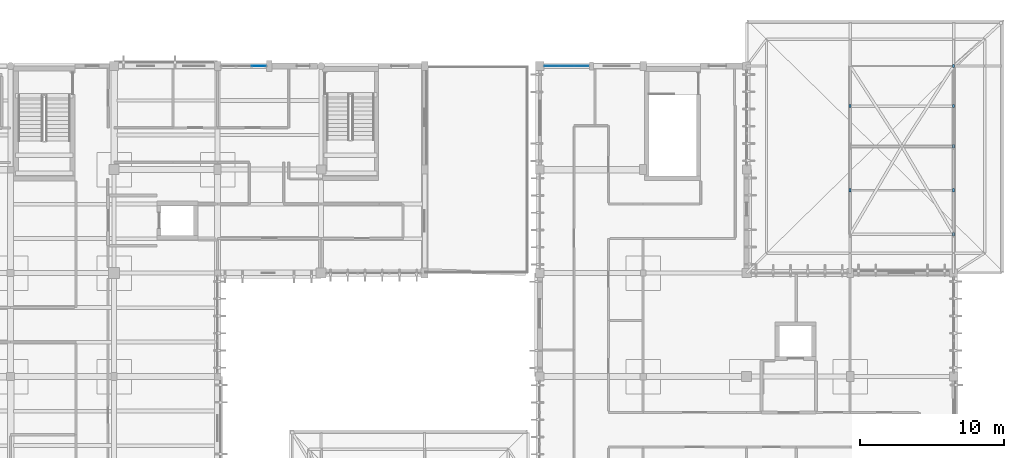
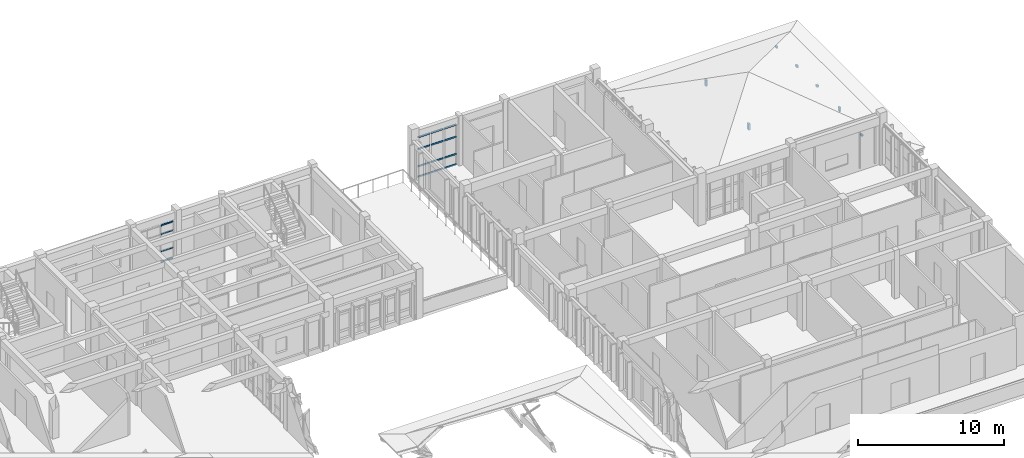
# One storey, part 22 of 51: 23 members, 2 elements without a shape of their own.
"""IFC4 building model written with IfcOpenShell, lengths in metres."""

from ifc_helpers import new_model, si_unit, direction, frame, origin, origin_2d, place, context, subcontext, project, spatial, rectangle, extrude, material, material_profile, profile_set, type_object, element, aggregate, save


model = new_model("IFC4")

# Units and contexts
model_context = context("Model", 3, precision=1e-05, world=origin(), true_north=direction((0.0, 1.0)))
body_context = subcontext(model_context, "Body", "Model", "MODEL_VIEW")
ifc_project = project(units=[si_unit("LENGTHUNIT", "METRE"), si_unit("AREAUNIT", "SQUARE_METRE"), si_unit("VOLUMEUNIT", "CUBIC_METRE"), si_unit("PLANEANGLEUNIT", "RADIAN"), si_unit("MASSUNIT", "GRAM", prefix="KILO")], contexts=[model_context])

# Site, building, storey
site_placement = place(None, origin())
site = spatial("IfcSite", under=ifc_project, at=site_placement, CompositionType="ELEMENT")
building_placement = place(site_placement, origin())
building = spatial("IfcBuilding", under=site, at=building_placement, Name="Steenspoor Specialist Clinic", CompositionType="ELEMENT")
storey_placement = place(building_placement, frame((0.0, 0.0, 17.39990234375)))
storey = spatial("IfcBuildingStorey", under=building, at=storey_placement, Name="L04", CompositionType="ELEMENT", Elevation=17.39990234375)

# Curtain wall, members
ifc_material_1 = material(Name="Thermally broken aluminium and low-emissivity glass", Category="aluminium")
curtain_wall_type_1 = type_object("IfcCurtainWallType", Name="CW-L00-240X415", PredefinedType="USERDEFINED", material=ifc_material_1)
curtain_wall_1_placement = place(storey_placement, origin())
curtain_wall_1 = element("IfcCurtainWall", 1, at=curtain_wall_1_placement, inside=storey, type_object=curtain_wall_type_1, Name="Unitised Curtain Wall CW-V4-L04-128", ObjectType="UNITISED GLAZING", PredefinedType="USERDEFINED")
ifc_material_2 = material(Name="Thermally broken aluminium 6063-T6", Category="aluminium")
ifc_material_profile_1 = material_profile(ifc_material_2, rectangle(XDim=0.06005859375, YDim=0.114990234375, at=origin_2d()), Name="CWT-60X115")
ifc_profile_set_1 = profile_set([ifc_material_profile_1], Name="Thermally broken aluminium 6063-T6")
member_type_1 = type_object("IfcMemberType", Name="CW-TRAN-60X115", PredefinedType="USERDEFINED", material=ifc_profile_set_1)
member_1_placement = place(storey_placement, frame((97.9833984375, 108.35009765625, 0.030029296875), z_axis=(1.0, 0.0, 0.0), x_axis=(0.0, 1.0, 0.0)))
member_1 = element("IfcMember", 2, at=member_1_placement, type_object=member_type_1, Name="CW-08 transom 3.1", ObjectType="TRANSOM", PredefinedType="USERDEFINED", context=body_context, shape_type="SweptSolid", body=[
    extrude(rectangle(XDim=0.06005859375, YDim=0.114990234375, at=origin_2d()), origin(), (0.0, 0.0, 1.0), 0.95654296875),
])
member_2_placement = place(storey_placement, frame((97.9833984375, 108.35009765625, 0.900146484375), z_axis=(1.0, 0.0, 0.0), x_axis=(0.0, 1.0, 0.0)))
member_2 = element("IfcMember", 3, at=member_2_placement, type_object=member_type_1, Name="CW-08 transom 3.2", ObjectType="TRANSOM", PredefinedType="USERDEFINED", context=body_context, shape_type="SweptSolid", body=[
    extrude(rectangle(XDim=0.06005859375, YDim=0.114990234375, at=origin_2d()), origin(), (0.0, 0.0, 1.0), 0.95654296875),
])
member_3_placement = place(storey_placement, frame((97.9833984375, 108.35009765625, 2.35009765625), z_axis=(1.0, 0.0, 0.0), x_axis=(0.0, 1.0, 0.0)))
member_3 = element("IfcMember", 4, at=member_3_placement, type_object=member_type_1, Name="CW-08 transom 3.3", ObjectType="TRANSOM", PredefinedType="USERDEFINED", context=body_context, shape_type="SweptSolid", body=[
    extrude(rectangle(XDim=0.06005859375, YDim=0.114990234375, at=origin_2d()), origin(), (0.0, 0.0, 1.0), 0.95654296875),
])
member_4_placement = place(storey_placement, frame((97.9833984375, 108.35009765625, 3.070068359375), z_axis=(1.0, 0.0, 0.0), x_axis=(0.0, 1.0, 0.0)))
member_4 = element("IfcMember", 5, at=member_4_placement, type_object=member_type_1, Name="CW-08 transom 3.4", ObjectType="TRANSOM", PredefinedType="USERDEFINED", context=body_context, shape_type="SweptSolid", body=[
    extrude(rectangle(XDim=0.06005859375, YDim=0.114990234375, at=origin_2d()), origin(), (0.0, 0.0, 1.0), 0.95654296875),
])
aggregate(curtain_wall_1, [member_1, member_2, member_3, member_4])

curtain_wall_type_2 = type_object("IfcCurtainWallType", Name="CW-TYP-300X355", PredefinedType="USERDEFINED", material=ifc_material_1)
curtain_wall_2_placement = place(storey_placement, origin())
curtain_wall_2 = element("IfcCurtainWall", 6, at=curtain_wall_2_placement, inside=storey, type_object=curtain_wall_type_2, Name="Unitised Curtain Wall CW-V6-L04-207", ObjectType="UNITISED GLAZING", PredefinedType="USERDEFINED")
ifc_material_profile_2 = material_profile(ifc_material_2, rectangle(XDim=0.06494140625, YDim=0.1298828125, at=origin_2d()), Name="CWT-65X130")
ifc_profile_set_2 = profile_set([ifc_material_profile_2], Name="Thermally broken aluminium 6063-T6")
member_type_2 = type_object("IfcMemberType", Name="CW-TRAN-65X130", PredefinedType="USERDEFINED", material=ifc_profile_set_2)
member_5_placement = place(storey_placement, frame((118.364990234375, 108.35009765625, 0.03271484375), z_axis=(1.0, 0.0, 0.0), x_axis=(0.0, 1.0, 0.0)))
member_5 = element("IfcMember", 7, at=member_5_placement, type_object=member_type_2, Name="CW-15 transom 1.1", ObjectType="TRANSOM", PredefinedType="USERDEFINED", context=body_context, shape_type="SweptSolid", body=[
    extrude(rectangle(XDim=0.06494140625, YDim=0.1298828125, at=origin_2d()), origin(), (0.0, 0.0, 1.0), 0.955810546875),
])
member_6_placement = place(storey_placement, frame((118.364990234375, 108.35009765625, 0.900146484375), z_axis=(1.0, 0.0, 0.0), x_axis=(0.0, 1.0, 0.0)))
member_6 = element("IfcMember", 8, at=member_6_placement, type_object=member_type_2, Name="CW-15 transom 1.2", ObjectType="TRANSOM", PredefinedType="USERDEFINED", context=body_context, shape_type="SweptSolid", body=[
    extrude(rectangle(XDim=0.06494140625, YDim=0.1298828125, at=origin_2d()), origin(), (0.0, 0.0, 1.0), 0.955810546875),
])
member_7_placement = place(storey_placement, frame((118.364990234375, 108.35009765625, 2.35009765625), z_axis=(1.0, 0.0, 0.0), x_axis=(0.0, 1.0, 0.0)))
member_7 = element("IfcMember", 9, at=member_7_placement, type_object=member_type_2, Name="CW-15 transom 1.3", ObjectType="TRANSOM", PredefinedType="USERDEFINED", context=body_context, shape_type="SweptSolid", body=[
    extrude(rectangle(XDim=0.06494140625, YDim=0.1298828125, at=origin_2d()), origin(), (0.0, 0.0, 1.0), 0.955810546875),
])
member_8_placement = place(storey_placement, frame((118.364990234375, 108.35009765625, 3.34765625), z_axis=(1.0, 0.0, 0.0), x_axis=(0.0, 1.0, 0.0)))
member_8 = element("IfcMember", 10, at=member_8_placement, type_object=member_type_2, Name="CW-15 transom 1.4", ObjectType="TRANSOM", PredefinedType="USERDEFINED", context=body_context, shape_type="SweptSolid", body=[
    extrude(rectangle(XDim=0.06494140625, YDim=0.1298828125, at=origin_2d()), origin(), (0.0, 0.0, 1.0), 0.955810546875),
])
member_9_placement = place(storey_placement, frame((119.3857421875, 108.35009765625, 0.03271484375), z_axis=(1.0, 0.0, 0.0), x_axis=(0.0, 1.0, 0.0)))
member_9 = element("IfcMember", 11, at=member_9_placement, type_object=member_type_2, Name="CW-15 transom 2.1", ObjectType="TRANSOM", PredefinedType="USERDEFINED", context=body_context, shape_type="SweptSolid", body=[
    extrude(rectangle(XDim=0.06494140625, YDim=0.1298828125, at=origin_2d()), origin(), (0.0, 0.0, 1.0), 0.988525390625),
])
member_10_placement = place(storey_placement, frame((119.3857421875, 108.35009765625, 0.900146484375), z_axis=(1.0, 0.0, 0.0), x_axis=(0.0, 1.0, 0.0)))
member_10 = element("IfcMember", 12, at=member_10_placement, type_object=member_type_2, Name="CW-15 transom 2.2", ObjectType="TRANSOM", PredefinedType="USERDEFINED", context=body_context, shape_type="SweptSolid", body=[
    extrude(rectangle(XDim=0.06494140625, YDim=0.1298828125, at=origin_2d()), origin(), (0.0, 0.0, 1.0), 0.988525390625),
])
member_11_placement = place(storey_placement, frame((119.3857421875, 108.35009765625, 2.35009765625), z_axis=(1.0, 0.0, 0.0), x_axis=(0.0, 1.0, 0.0)))
member_11 = element("IfcMember", 13, at=member_11_placement, type_object=member_type_2, Name="CW-15 transom 2.3", ObjectType="TRANSOM", PredefinedType="USERDEFINED", context=body_context, shape_type="SweptSolid", body=[
    extrude(rectangle(XDim=0.06494140625, YDim=0.1298828125, at=origin_2d()), origin(), (0.0, 0.0, 1.0), 0.988525390625),
])
member_12_placement = place(storey_placement, frame((119.3857421875, 108.35009765625, 3.34765625), z_axis=(1.0, 0.0, 0.0), x_axis=(0.0, 1.0, 0.0)))
member_12 = element("IfcMember", 14, at=member_12_placement, type_object=member_type_2, Name="CW-15 transom 2.4", ObjectType="TRANSOM", PredefinedType="USERDEFINED", context=body_context, shape_type="SweptSolid", body=[
    extrude(rectangle(XDim=0.06494140625, YDim=0.1298828125, at=origin_2d()), origin(), (0.0, 0.0, 1.0), 0.988525390625),
])
member_13_placement = place(storey_placement, frame((120.439208984375, 108.35009765625, 0.03271484375), z_axis=(1.0, 0.0, 0.0), x_axis=(0.0, 1.0, 0.0)))
member_13 = element("IfcMember", 15, at=member_13_placement, type_object=member_type_2, Name="CW-15 transom 3.1", ObjectType="TRANSOM", PredefinedType="USERDEFINED", context=body_context, shape_type="SweptSolid", body=[
    extrude(rectangle(XDim=0.06494140625, YDim=0.1298828125, at=origin_2d()), origin(), (0.0, 0.0, 1.0), 0.955810546875),
])
member_14_placement = place(storey_placement, frame((120.439208984375, 108.35009765625, 0.900146484375), z_axis=(1.0, 0.0, 0.0), x_axis=(0.0, 1.0, 0.0)))
member_14 = element("IfcMember", 16, at=member_14_placement, type_object=member_type_2, Name="CW-15 transom 3.2", ObjectType="TRANSOM", PredefinedType="USERDEFINED", context=body_context, shape_type="SweptSolid", body=[
    extrude(rectangle(XDim=0.06494140625, YDim=0.1298828125, at=origin_2d()), origin(), (0.0, 0.0, 1.0), 0.955810546875),
])
member_15_placement = place(storey_placement, frame((120.439208984375, 108.35009765625, 2.35009765625), z_axis=(1.0, 0.0, 0.0), x_axis=(0.0, 1.0, 0.0)))
member_15 = element("IfcMember", 17, at=member_15_placement, type_object=member_type_2, Name="CW-15 transom 3.3", ObjectType="TRANSOM", PredefinedType="USERDEFINED", context=body_context, shape_type="SweptSolid", body=[
    extrude(rectangle(XDim=0.06494140625, YDim=0.1298828125, at=origin_2d()), origin(), (0.0, 0.0, 1.0), 0.955810546875),
])
member_16_placement = place(storey_placement, frame((120.439208984375, 108.35009765625, 3.34765625), z_axis=(1.0, 0.0, 0.0), x_axis=(0.0, 1.0, 0.0)))
member_16 = element("IfcMember", 18, at=member_16_placement, type_object=member_type_2, Name="CW-15 transom 3.4", ObjectType="TRANSOM", PredefinedType="USERDEFINED", context=body_context, shape_type="SweptSolid", body=[
    extrude(rectangle(XDim=0.06494140625, YDim=0.1298828125, at=origin_2d()), origin(), (0.0, 0.0, 1.0), 0.955810546875),
])
aggregate(curtain_wall_2, [member_5, member_6, member_7, member_8, member_9, member_10, member_11, member_12, member_13, member_14, member_15, member_16])

# Members
ifc_material_3 = material(Name="Glulam GL28h", Category="wood")
ifc_material_profile_3 = material_profile(ifc_material_3, rectangle(XDim=0.139892578125, YDim=0.219970703125, at=origin_2d()), Name="GL28H-140X220")
ifc_profile_set_3 = profile_set([ifc_material_profile_3], Name="Glulam GL28h")
member_type_3 = type_object("IfcMemberType", Name="MEM-RAFTER-GL220", PredefinedType="RAFTER", material=ifc_profile_set_3)
member_17_placement = place(storey_placement, frame((146.800048828125, 96.64990234375, 0.619873046875), z_axis=(0.0, 0.0, 1.0), x_axis=(1.0, 0.0, 0.0)))
element("IfcMember", 19, at=member_17_placement, inside=storey, type_object=member_type_3, Name="ROOF TRUSS Purlin Pack 507B", PredefinedType="RAFTER", context=body_context, shape_type="SweptSolid", body=[
    extrude(rectangle(XDim=0.139892578125, YDim=0.219970703125, at=origin_2d()), origin(), (0.0, 0.0, 1.0), 0.13134765625),
])
member_18_placement = place(storey_placement, frame((139.60009765625, 99.70751953125, 1.80126953125), z_axis=(0.0, 0.0, 1.0), x_axis=(1.0, 0.0, 0.0)))
element("IfcMember", 20, at=member_18_placement, inside=storey, type_object=member_type_3, Name="ROOF TRUSS Purlin Pack 508A", PredefinedType="RAFTER", context=body_context, shape_type="SweptSolid", body=[
    extrude(rectangle(XDim=0.139892578125, YDim=0.219970703125, at=origin_2d()), origin(), (0.0, 0.0, 1.0), 0.52197265625),
])
member_19_placement = place(storey_placement, frame((146.800048828125, 99.70751953125, 0.8193359375), z_axis=(0.0, 0.0, 1.0), x_axis=(1.0, 0.0, 0.0)))
element("IfcMember", 21, at=member_19_placement, inside=storey, type_object=member_type_3, Name="ROOF TRUSS Purlin Pack 508B", PredefinedType="RAFTER", context=body_context, shape_type="SweptSolid", body=[
    extrude(rectangle(XDim=0.139892578125, YDim=0.219970703125, at=origin_2d()), origin(), (0.0, 0.0, 1.0), 0.35546875),
])
member_20_placement = place(storey_placement, frame((146.800048828125, 102.764892578125, 1.01904296875), z_axis=(0.0, 0.0, 1.0), x_axis=(1.0, 0.0, 0.0)))
element("IfcMember", 22, at=member_20_placement, inside=storey, type_object=member_type_3, Name="ROOF TRUSS Purlin Pack 509B", PredefinedType="RAFTER", context=body_context, shape_type="SweptSolid", body=[
    extrude(rectangle(XDim=0.139892578125, YDim=0.219970703125, at=origin_2d()), origin(), (0.0, 0.0, 1.0), 0.15185546875),
])
member_21_placement = place(storey_placement, frame((139.60009765625, 105.5576171875, 1.935302734375), z_axis=(0.0, 0.0, 1.0), x_axis=(1.0, 0.0, 0.0)))
element("IfcMember", 23, at=member_21_placement, inside=storey, type_object=member_type_3, Name="ROOF TRUSS Purlin Pack 510A", PredefinedType="RAFTER", context=body_context, shape_type="SweptSolid", body=[
    extrude(rectangle(XDim=0.139892578125, YDim=0.219970703125, at=origin_2d()), origin(), (0.0, 0.0, 1.0), 0.497802734375),
])
member_22_placement = place(storey_placement, frame((146.800048828125, 105.5576171875, 0.95361328125), z_axis=(0.0, 0.0, 1.0), x_axis=(1.0, 0.0, 0.0)))
element("IfcMember", 24, at=member_22_placement, inside=storey, type_object=member_type_3, Name="ROOF TRUSS Purlin Pack 510B", PredefinedType="RAFTER", context=body_context, shape_type="SweptSolid", body=[
    extrude(rectangle(XDim=0.139892578125, YDim=0.219970703125, at=origin_2d()), origin(), (0.0, 0.0, 1.0), 0.19677734375),
])
member_23_placement = place(storey_placement, frame((146.800048828125, 108.35009765625, 0.88818359375), z_axis=(0.0, 0.0, 1.0), x_axis=(1.0, 0.0, 0.0)))
element("IfcMember", 25, at=member_23_placement, inside=storey, type_object=member_type_3, Name="ROOF TRUSS Purlin Pack 511B", PredefinedType="RAFTER", context=body_context, shape_type="SweptSolid", body=[
    extrude(rectangle(XDim=0.139892578125, YDim=0.219970703125, at=origin_2d()), origin(), (0.0, 0.0, 1.0), 0.155517578125),
])

save(model, "model.ifc")
